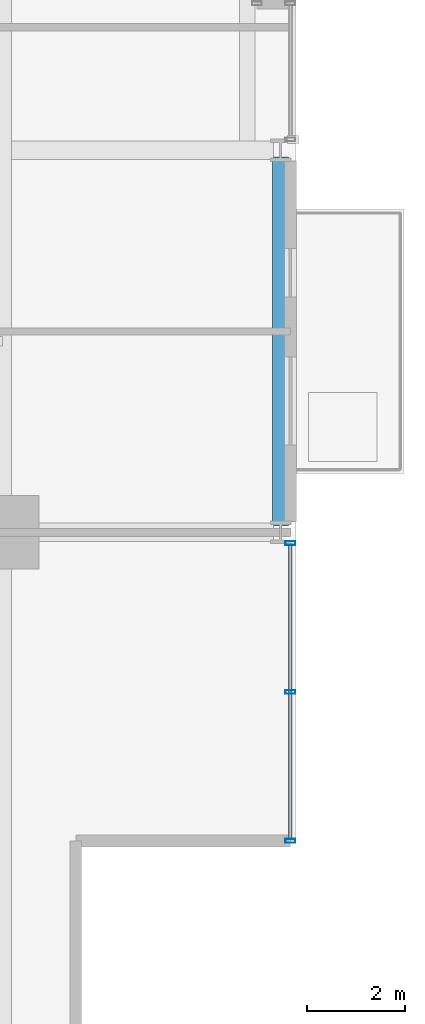
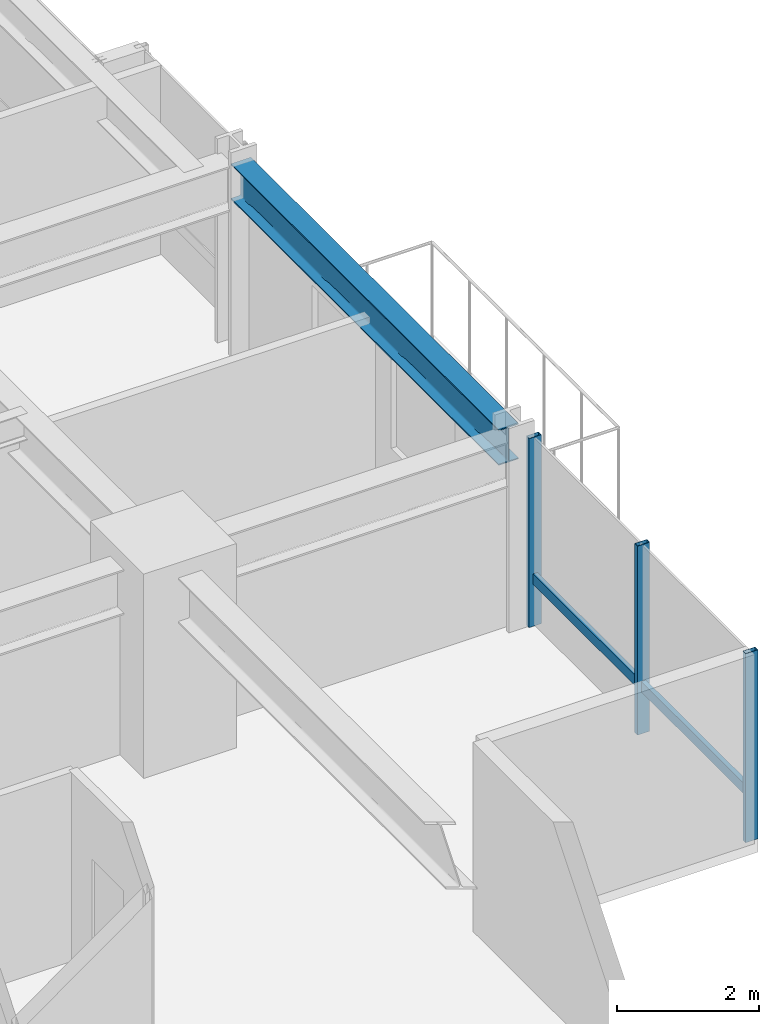
# One storey, part 13 of 34: 4 members, 1 beam, 1 element without a shape of its own.
"""IFC4 building model written with IfcOpenShell, lengths in metres."""

from ifc_helpers import new_model, si_unit, direction, frame, origin, origin_2d, place, context, subcontext, project, spatial, hollow_rectangle, i_section, extrude, material, layer, layer_set, material_profile, profile_set, type_object, element, aggregate, save


model = new_model("IFC4")

# Units and contexts
model_context = context("Model", 3, precision=1e-05, world=origin(), true_north=direction((0.0, 1.0)))
body_context = subcontext(model_context, "Body", "Model", "MODEL_VIEW")
ifc_project = project(units=[si_unit("LENGTHUNIT", "METRE"), si_unit("AREAUNIT", "SQUARE_METRE"), si_unit("VOLUMEUNIT", "CUBIC_METRE"), si_unit("PLANEANGLEUNIT", "RADIAN"), si_unit("MASSUNIT", "GRAM", prefix="KILO")], contexts=[model_context])

# Site, building, storey
site_placement = place(None, origin())
site = spatial("IfcSite", under=ifc_project, at=site_placement, CompositionType="ELEMENT")
building_placement = place(site_placement, origin())
building = spatial("IfcBuilding", under=site, at=building_placement, Name="Drelvath Grand Hotel", CompositionType="ELEMENT")
storey_placement = place(building_placement, frame((0.0, 0.0, 91.800048828125)))
storey = spatial("IfcBuildingStorey", under=building, at=storey_placement, Name="L22", CompositionType="ELEMENT", Elevation=91.800048828125)

# Curtain wall, members
ifc_material_1 = material(Name="Champagne Bronze Anodised Aluminium Frame", Category="aluminium")
ifc_layer = layer(ifc_material_1, 0.199951171875)
ifc_layer_set = layer_set([ifc_layer], Name="Champagne Bronze Anodised Aluminium Frame")
curtain_wall_type = type_object("IfcCurtainWallType", Name="Stick Curtain Wall CW-03 Champagne Bronze Mid-Rise", PredefinedType="NOTDEFINED", material=ifc_layer_set)
curtain_wall_placement = place(storey_placement, origin())
curtain_wall = element("IfcCurtainWall", 1, at=curtain_wall_placement, inside=storey, type_object=curtain_wall_type, Name="L22 CW-03 Curtain Wall CW03-L22-ES1", PredefinedType="NOTDEFINED")
ifc_material_profile_1 = material_profile(ifc_material_1, hollow_rectangle(XDim=0.074951171875, YDim=0.179931640625, WallThickness=0.0048828125, at=origin_2d()), Name="HSS180X75X5")
ifc_profile_set_1 = profile_set([ifc_material_profile_1], Name="Champagne Bronze Anodised Aluminium Frame")
member_type_1 = type_object("IfcMemberType", Name="Curtain Wall Horizontal Transom CW-03 HSS180X75X5", PredefinedType="USERDEFINED", material=ifc_profile_set_1)
member_1_placement = place(storey_placement, frame((22.080078125, 10.540283203125, 0.81005859375), z_axis=(0.0, -1.0, 0.0), x_axis=(1.0, 0.0, 0.0)))
member_1 = element("IfcMember", 2, at=member_1_placement, type_object=member_type_1, Name="CW03-L22-ES1 Sill Transom", ObjectType="TRANSOM", PredefinedType="USERDEFINED", context=body_context, shape_type="SweptSolid", body=[
    extrude(hollow_rectangle(XDim=0.074951171875, YDim=0.179931640625, WallThickness=0.0048828125, at=origin_2d()), origin(), (0.0, 0.0, 1.0), 6.000244140625),
])
ifc_material_profile_2 = material_profile(ifc_material_1, hollow_rectangle(XDim=0.080078125, YDim=0.199951171875, WallThickness=0.0048828125, at=origin_2d()), Name="HSS200X80X5")
ifc_profile_set_2 = profile_set([ifc_material_profile_2], Name="Champagne Bronze Anodised Aluminium Frame")
member_type_2 = type_object("IfcMemberType", Name="Curtain Wall Vertical Mullion CW-03 HSS200X80X5", PredefinedType="MULLION", material=ifc_profile_set_2)
member_2_placement = place(storey_placement, frame((22.080078125, 10.580322265625, 0.0), z_axis=(0.0, 0.0, 1.0), x_axis=(0.0, 1.0, 0.0)))
member_2 = element("IfcMember", 3, at=member_2_placement, type_object=member_type_2, Name="CW03-L22-ES1 Mullion 1", PredefinedType="MULLION", context=body_context, shape_type="SweptSolid", body=[
    extrude(hollow_rectangle(XDim=0.080078125, YDim=0.199951171875, WallThickness=0.0048828125, at=origin_2d()), origin(), (0.0, 0.0, 1.0), 3.239990234375),
])
member_3_placement = place(storey_placement, frame((22.080078125, 7.540283203125, 0.0), z_axis=(0.0, 0.0, 1.0), x_axis=(0.0, 1.0, 0.0)))
member_3 = element("IfcMember", 4, at=member_3_placement, type_object=member_type_2, Name="CW03-L22-ES1 Mullion 2", PredefinedType="MULLION", context=body_context, shape_type="SweptSolid", body=[
    extrude(hollow_rectangle(XDim=0.080078125, YDim=0.199951171875, WallThickness=0.0048828125, at=origin_2d()), origin(), (0.0, 0.0, 1.0), 3.239990234375),
])
member_4_placement = place(storey_placement, frame((22.080078125, 4.5, 0.0), z_axis=(0.0, 0.0, 1.0), x_axis=(0.0, 1.0, 0.0)))
member_4 = element("IfcMember", 5, at=member_4_placement, type_object=member_type_2, Name="CW03-L22-ES1 Mullion 3", PredefinedType="MULLION", context=body_context, shape_type="SweptSolid", body=[
    extrude(hollow_rectangle(XDim=0.080078125, YDim=0.199951171875, WallThickness=0.0048828125, at=origin_2d()), origin(), (0.0, 0.0, 1.0), 3.239990234375),
])
aggregate(curtain_wall, [member_2, member_3, member_4, member_1])

# Beam
ifc_material_2 = material(Name="Steel ASTM A992 Gr 50", Category="steel")
ifc_material_profile_3 = material_profile(ifc_material_2, i_section(OverallWidth=0.323974609375, OverallDepth=0.611083984375, WebThickness=0.0126953125, FlangeThickness=0.01904296875, FilletRadius=0.02197265625, at=origin_2d()), Name="W24X104")
ifc_profile_set_3 = profile_set([ifc_material_profile_3], Name="Steel ASTM A992 Gr 50")
beam_type = type_object("IfcBeamType", Name="Perimeter Spandrel Beam W24X104", PredefinedType="SPANDREL", material=ifc_profile_set_3)
beam_placement = place(storey_placement, frame((21.8798828125, 10.93994140625, 2.9345703125), z_axis=(0.0, 1.0, 0.0), x_axis=(-1.0, 0.0, 0.0)))
element("IfcBeam", 6, at=beam_placement, inside=storey, type_object=beam_type, Name="L22 Spandrel East S", PredefinedType="SPANDREL", context=body_context, shape_type="SweptSolid", body=[
    extrude(i_section(OverallWidth=0.323974609375, OverallDepth=0.611083984375, WebThickness=0.0126953125, FlangeThickness=0.01904296875, FilletRadius=0.02197265625, at=origin_2d()), origin(), (0.0, 0.0, 1.0), 7.52001953125),
])

save(model, "model.ifc")
